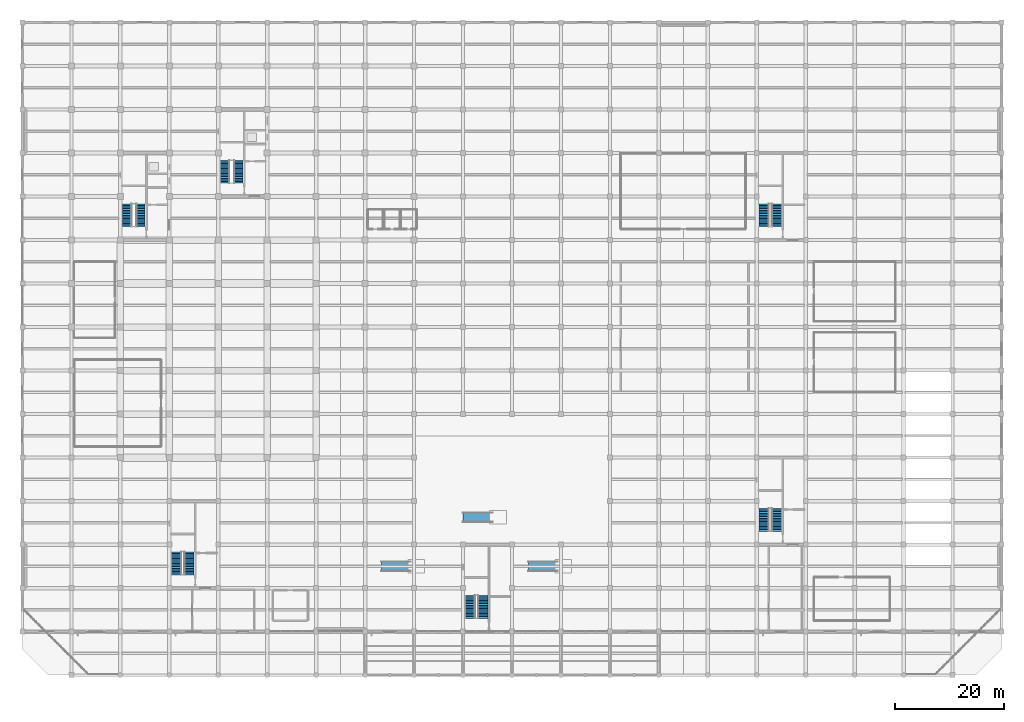
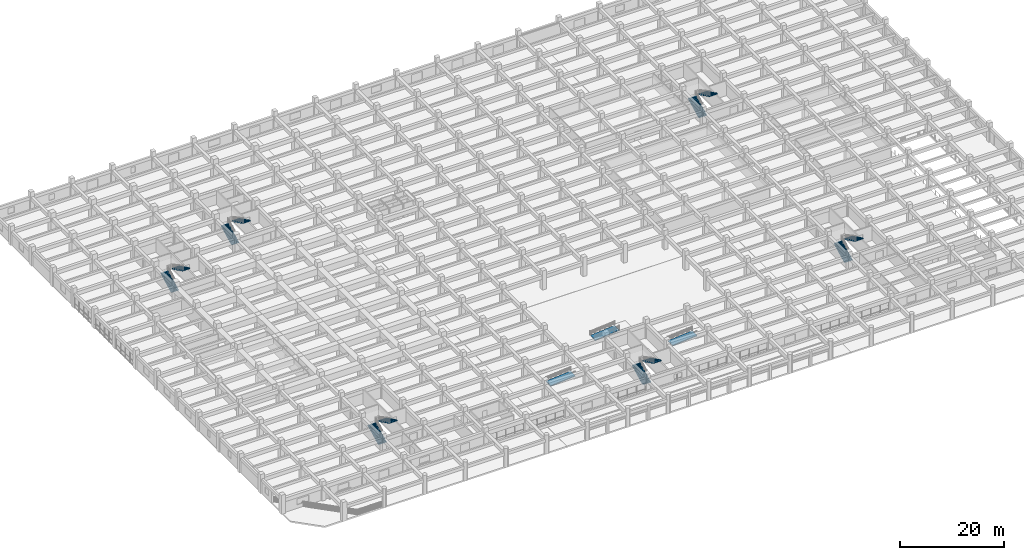
# One storey, part 31 of 40: 12 stair flights, 3 ramp flights, 9 elements without a shape of their own.
"""IFC4 building model written with IfcOpenShell, lengths in metres."""

from ifc_helpers import new_model, si_unit, direction, frame, origin, place, context, subcontext, project, spatial, polyline, outline, extrude, material, layer, layer_set, type_object, element, aggregate, save


model = new_model("IFC4")

# Units and contexts
model_context = context("Model", 3, precision=1e-05, world=origin(), true_north=direction((0.0, 1.0)))
body_context = subcontext(model_context, "Body", "Model", "MODEL_VIEW")
ifc_project = project(units=[si_unit("LENGTHUNIT", "METRE"), si_unit("AREAUNIT", "SQUARE_METRE"), si_unit("VOLUMEUNIT", "CUBIC_METRE"), si_unit("PLANEANGLEUNIT", "RADIAN"), si_unit("MASSUNIT", "GRAM", prefix="KILO")], contexts=[model_context])

# Site, building, storey
site_placement = place(None, origin())
site = spatial("IfcSite", under=ifc_project, at=site_placement, CompositionType="ELEMENT")
building_placement = place(site_placement, origin())
building = spatial("IfcBuilding", under=site, at=building_placement, Name="Zaverband Oceanarium and Marine Research Institute", CompositionType="ELEMENT")
storey_placement = place(building_placement, origin())
storey = spatial("IfcBuildingStorey", under=building, at=storey_placement, Name="L00", CompositionType="ELEMENT", Elevation=0.0)

# Stair, stair flights
ifc_material = material(Name="Concrete C40/50", Category="concrete")
stair_type_1 = type_object("IfcStairType", Name="STR-POD-1800-4500", PredefinedType="HALF_TURN_STAIR", material=ifc_material)
stair_1_placement = place(storey_placement, origin())
stair_1 = element("IfcStair", 1, at=stair_1_placement, inside=storey, type_object=stair_type_1, Name="Exit Stair ST-03 (L00)", PredefinedType="HALF_TURN_STAIR")
stair_flight_type_1 = type_object("IfcStairFlightType", Name="STR-POD-1800-4500-FL", PredefinedType="STRAIGHT", material=ifc_material)
stair_flight_1_placement = place(storey_placement, frame((28.330078125, 18.449951171875, 0.0), z_axis=(0.0, 0.0, 1.0), x_axis=(0.0, 1.0, 0.0)))
stair_flight_1 = element("IfcStairFlight", 2, at=stair_flight_1_placement, type_object=stair_flight_type_1, Name="Reinforced concrete stair flight ST-03-F1", NumberOfRisers=15, NumberOfTreads=14, PredefinedType="STRAIGHT", RiserHeight=0.15, TreadLength=0.3, context=body_context, shape_type="SweptSolid", body=[
    extrude(outline(polyline([(0.0, 0.0), (0.0, 0.14990234375), (0.300048828125, 0.14990234375), (0.300048828125, 0.300048828125), (0.60009765625, 0.300048828125), (0.60009765625, 0.449951171875), (0.89990234375, 0.449951171875), (0.89990234375, 0.60009765625), (1.199951171875, 0.60009765625), (1.199951171875, 0.75), (1.5, 0.75), (1.5, 0.89990234375), (1.800048828125, 0.89990234375), (1.800048828125, 1.050048828125), (2.10009765625, 1.050048828125), (2.10009765625, 1.199951171875), (2.39990234375, 1.199951171875), (2.39990234375, 1.35009765625), (2.699951171875, 1.35009765625), (2.699951171875, 1.5), (3.0, 1.5), (3.0, 1.64990234375), (3.300048828125, 1.64990234375), (3.300048828125, 1.800048828125), (3.60009765625, 1.800048828125), (3.60009765625, 1.949951171875), (3.89990234375, 1.949951171875), (3.89990234375, 2.10009765625), (4.199951171875, 2.10009765625), (4.199951171875, 2.25), (4.199951171875, 1.89892578125), (0.40234375, 0.0), (0.0, 0.0)])), frame((0.0, 0.89990234375, 0.0), z_axis=(0.0, -1.0, 0.0), x_axis=(1.0, 0.0, 0.0)), (0.0, 0.0, 1.0), 1.800048828125),
])
stair_flight_2_placement = place(storey_placement, frame((30.669921875, 22.64990234375, 2.25), z_axis=(0.0, 0.0, 1.0), x_axis=(0.0, -1.0, 0.0)))
stair_flight_2 = element("IfcStairFlight", 3, at=stair_flight_2_placement, type_object=stair_flight_type_1, Name="Reinforced concrete stair flight ST-03-F2", NumberOfRisers=15, NumberOfTreads=14, PredefinedType="STRAIGHT", RiserHeight=0.15, TreadLength=0.3, context=body_context, shape_type="SweptSolid", body=[
    extrude(outline(polyline([(0.0, 0.0), (0.0, 0.14990234375), (0.300048828125, 0.14990234375), (0.300048828125, 0.300048828125), (0.60009765625, 0.300048828125), (0.60009765625, 0.449951171875), (0.89990234375, 0.449951171875), (0.89990234375, 0.60009765625), (1.199951171875, 0.60009765625), (1.199951171875, 0.75), (1.5, 0.75), (1.5, 0.89990234375), (1.800048828125, 0.89990234375), (1.800048828125, 1.050048828125), (2.10009765625, 1.050048828125), (2.10009765625, 1.199951171875), (2.39990234375, 1.199951171875), (2.39990234375, 1.35009765625), (2.699951171875, 1.35009765625), (2.699951171875, 1.5), (3.0, 1.5), (3.0, 1.64990234375), (3.300048828125, 1.64990234375), (3.300048828125, 1.800048828125), (3.60009765625, 1.800048828125), (3.60009765625, 1.949951171875), (3.89990234375, 1.949951171875), (3.89990234375, 2.10009765625), (4.199951171875, 2.10009765625), (4.199951171875, 2.25), (4.199951171875, 1.89892578125), (0.40234375, 0.0), (0.0, 0.0)])), frame((0.0, 0.89990234375, 0.0), z_axis=(0.0, -1.0, 0.0), x_axis=(1.0, 0.0, 0.0)), (0.0, 0.0, 1.0), 1.800048828125),
])
aggregate(stair_1, [stair_flight_1, stair_flight_2])

stair_2_placement = place(storey_placement, origin())
stair_2 = element("IfcStair", 4, at=stair_2_placement, inside=storey, type_object=stair_type_1, Name="Exit Stair ST-04 (L00)", PredefinedType="HALF_TURN_STAIR")
stair_flight_3_placement = place(storey_placement, frame((136.330078125, 26.449951171875, 0.0), z_axis=(0.0, 0.0, 1.0), x_axis=(0.0, 1.0, 0.0)))
stair_flight_3 = element("IfcStairFlight", 5, at=stair_flight_3_placement, type_object=stair_flight_type_1, Name="Reinforced concrete stair flight ST-04-F1", NumberOfRisers=15, NumberOfTreads=14, PredefinedType="STRAIGHT", RiserHeight=0.15, TreadLength=0.3, context=body_context, shape_type="SweptSolid", body=[
    extrude(outline(polyline([(0.0, 0.0), (0.0, 0.14990234375), (0.300048828125, 0.14990234375), (0.300048828125, 0.300048828125), (0.60009765625, 0.300048828125), (0.60009765625, 0.449951171875), (0.89990234375, 0.449951171875), (0.89990234375, 0.60009765625), (1.199951171875, 0.60009765625), (1.199951171875, 0.75), (1.5, 0.75), (1.5, 0.89990234375), (1.800048828125, 0.89990234375), (1.800048828125, 1.050048828125), (2.10009765625, 1.050048828125), (2.10009765625, 1.199951171875), (2.39990234375, 1.199951171875), (2.39990234375, 1.35009765625), (2.699951171875, 1.35009765625), (2.699951171875, 1.5), (3.0, 1.5), (3.0, 1.64990234375), (3.300048828125, 1.64990234375), (3.300048828125, 1.800048828125), (3.60009765625, 1.800048828125), (3.60009765625, 1.949951171875), (3.89990234375, 1.949951171875), (3.89990234375, 2.10009765625), (4.199951171875, 2.10009765625), (4.199951171875, 2.25), (4.199951171875, 1.89892578125), (0.40234375, 0.0), (0.0, 0.0)])), frame((0.0, 0.89990234375, 0.0), z_axis=(0.0, -1.0, 0.0), x_axis=(1.0, 0.0, 0.0)), (0.0, 0.0, 1.0), 1.800048828125),
])
stair_flight_4_placement = place(storey_placement, frame((138.669921875, 30.64990234375, 2.25), z_axis=(0.0, 0.0, 1.0), x_axis=(0.0, -1.0, 0.0)))
stair_flight_4 = element("IfcStairFlight", 6, at=stair_flight_4_placement, type_object=stair_flight_type_1, Name="Reinforced concrete stair flight ST-04-F2", NumberOfRisers=15, NumberOfTreads=14, PredefinedType="STRAIGHT", RiserHeight=0.15, TreadLength=0.3, context=body_context, shape_type="SweptSolid", body=[
    extrude(outline(polyline([(0.0, 0.0), (0.0, 0.14990234375), (0.300048828125, 0.14990234375), (0.300048828125, 0.300048828125), (0.60009765625, 0.300048828125), (0.60009765625, 0.449951171875), (0.89990234375, 0.449951171875), (0.89990234375, 0.60009765625), (1.199951171875, 0.60009765625), (1.199951171875, 0.75), (1.5, 0.75), (1.5, 0.89990234375), (1.800048828125, 0.89990234375), (1.800048828125, 1.050048828125), (2.10009765625, 1.050048828125), (2.10009765625, 1.199951171875), (2.39990234375, 1.199951171875), (2.39990234375, 1.35009765625), (2.699951171875, 1.35009765625), (2.699951171875, 1.5), (3.0, 1.5), (3.0, 1.64990234375), (3.300048828125, 1.64990234375), (3.300048828125, 1.800048828125), (3.60009765625, 1.800048828125), (3.60009765625, 1.949951171875), (3.89990234375, 1.949951171875), (3.89990234375, 2.10009765625), (4.199951171875, 2.10009765625), (4.199951171875, 2.25), (4.199951171875, 1.89892578125), (0.40234375, 0.0), (0.0, 0.0)])), frame((0.0, 0.89990234375, 0.0), z_axis=(0.0, -1.0, 0.0), x_axis=(1.0, 0.0, 0.0)), (0.0, 0.0, 1.0), 1.800048828125),
])
aggregate(stair_2, [stair_flight_3, stair_flight_4])

stair_3_placement = place(storey_placement, origin())
stair_3 = element("IfcStair", 7, at=stair_3_placement, inside=storey, type_object=stair_type_1, Name="Exit Stair ST-05 (L00)", PredefinedType="HALF_TURN_STAIR")
stair_flight_5_placement = place(storey_placement, frame((136.330078125, 82.449951171875, 0.0), z_axis=(0.0, 0.0, 1.0), x_axis=(0.0, 1.0, 0.0)))
stair_flight_5 = element("IfcStairFlight", 8, at=stair_flight_5_placement, type_object=stair_flight_type_1, Name="Reinforced concrete stair flight ST-05-F1", NumberOfRisers=15, NumberOfTreads=14, PredefinedType="STRAIGHT", RiserHeight=0.15, TreadLength=0.3, context=body_context, shape_type="SweptSolid", body=[
    extrude(outline(polyline([(0.0, 0.0), (0.0, 0.14990234375), (0.300048828125, 0.14990234375), (0.300048828125, 0.300048828125), (0.60009765625, 0.300048828125), (0.60009765625, 0.449951171875), (0.89990234375, 0.449951171875), (0.89990234375, 0.60009765625), (1.199951171875, 0.60009765625), (1.199951171875, 0.75), (1.5, 0.75), (1.5, 0.89990234375), (1.800048828125, 0.89990234375), (1.800048828125, 1.050048828125), (2.10009765625, 1.050048828125), (2.10009765625, 1.199951171875), (2.39990234375, 1.199951171875), (2.39990234375, 1.35009765625), (2.699951171875, 1.35009765625), (2.699951171875, 1.5), (3.0, 1.5), (3.0, 1.64990234375), (3.300048828125, 1.64990234375), (3.300048828125, 1.800048828125), (3.60009765625, 1.800048828125), (3.60009765625, 1.949951171875), (3.89990234375, 1.949951171875), (3.89990234375, 2.10009765625), (4.199951171875, 2.10009765625), (4.199951171875, 2.25), (4.199951171875, 1.89892578125), (0.40234375, 0.0), (0.0, 0.0)])), frame((0.0, 0.89990234375, 0.0), z_axis=(0.0, -1.0, 0.0), x_axis=(1.0, 0.0, 0.0)), (0.0, 0.0, 1.0), 1.800048828125),
])
stair_flight_6_placement = place(storey_placement, frame((138.669921875, 86.64990234375, 2.25), z_axis=(0.0, 0.0, 1.0), x_axis=(0.0, -1.0, 0.0)))
stair_flight_6 = element("IfcStairFlight", 9, at=stair_flight_6_placement, type_object=stair_flight_type_1, Name="Reinforced concrete stair flight ST-05-F2", NumberOfRisers=15, NumberOfTreads=14, PredefinedType="STRAIGHT", RiserHeight=0.15, TreadLength=0.3, context=body_context, shape_type="SweptSolid", body=[
    extrude(outline(polyline([(0.0, 0.0), (0.0, 0.14990234375), (0.300048828125, 0.14990234375), (0.300048828125, 0.300048828125), (0.60009765625, 0.300048828125), (0.60009765625, 0.449951171875), (0.89990234375, 0.449951171875), (0.89990234375, 0.60009765625), (1.199951171875, 0.60009765625), (1.199951171875, 0.75), (1.5, 0.75), (1.5, 0.89990234375), (1.800048828125, 0.89990234375), (1.800048828125, 1.050048828125), (2.10009765625, 1.050048828125), (2.10009765625, 1.199951171875), (2.39990234375, 1.199951171875), (2.39990234375, 1.35009765625), (2.699951171875, 1.35009765625), (2.699951171875, 1.5), (3.0, 1.5), (3.0, 1.64990234375), (3.300048828125, 1.64990234375), (3.300048828125, 1.800048828125), (3.60009765625, 1.800048828125), (3.60009765625, 1.949951171875), (3.89990234375, 1.949951171875), (3.89990234375, 2.10009765625), (4.199951171875, 2.10009765625), (4.199951171875, 2.25), (4.199951171875, 1.89892578125), (0.40234375, 0.0), (0.0, 0.0)])), frame((0.0, 0.89990234375, 0.0), z_axis=(0.0, -1.0, 0.0), x_axis=(1.0, 0.0, 0.0)), (0.0, 0.0, 1.0), 1.800048828125),
])
aggregate(stair_3, [stair_flight_5, stair_flight_6])

stair_4_placement = place(storey_placement, origin())
stair_4 = element("IfcStair", 10, at=stair_4_placement, inside=storey, type_object=stair_type_1, Name="Exit Stair ST-06 (L00)", PredefinedType="HALF_TURN_STAIR")
stair_flight_7_placement = place(storey_placement, frame((82.330078125, 10.449951171875, 0.0), z_axis=(0.0, 0.0, 1.0), x_axis=(0.0, 1.0, 0.0)))
stair_flight_7 = element("IfcStairFlight", 11, at=stair_flight_7_placement, type_object=stair_flight_type_1, Name="Reinforced concrete stair flight ST-06-F1", NumberOfRisers=15, NumberOfTreads=14, PredefinedType="STRAIGHT", RiserHeight=0.15, TreadLength=0.3, context=body_context, shape_type="SweptSolid", body=[
    extrude(outline(polyline([(0.0, 0.0), (0.0, 0.14990234375), (0.300048828125, 0.14990234375), (0.300048828125, 0.300048828125), (0.60009765625, 0.300048828125), (0.60009765625, 0.449951171875), (0.89990234375, 0.449951171875), (0.89990234375, 0.60009765625), (1.199951171875, 0.60009765625), (1.199951171875, 0.75), (1.5, 0.75), (1.5, 0.89990234375), (1.800048828125, 0.89990234375), (1.800048828125, 1.050048828125), (2.10009765625, 1.050048828125), (2.10009765625, 1.199951171875), (2.39990234375, 1.199951171875), (2.39990234375, 1.35009765625), (2.699951171875, 1.35009765625), (2.699951171875, 1.5), (3.0, 1.5), (3.0, 1.64990234375), (3.300048828125, 1.64990234375), (3.300048828125, 1.800048828125), (3.60009765625, 1.800048828125), (3.60009765625, 1.949951171875), (3.89990234375, 1.949951171875), (3.89990234375, 2.10009765625), (4.199951171875, 2.10009765625), (4.199951171875, 2.25), (4.199951171875, 1.89892578125), (0.40234375, 0.0), (0.0, 0.0)])), frame((0.0, 0.89990234375, 0.0), z_axis=(0.0, -1.0, 0.0), x_axis=(1.0, 0.0, 0.0)), (0.0, 0.0, 1.0), 1.800048828125),
])
stair_flight_8_placement = place(storey_placement, frame((84.669921875, 14.64990234375, 2.25), z_axis=(0.0, 0.0, 1.0), x_axis=(0.0, -1.0, 0.0)))
stair_flight_8 = element("IfcStairFlight", 12, at=stair_flight_8_placement, type_object=stair_flight_type_1, Name="Reinforced concrete stair flight ST-06-F2", NumberOfRisers=15, NumberOfTreads=14, PredefinedType="STRAIGHT", RiserHeight=0.15, TreadLength=0.3, context=body_context, shape_type="SweptSolid", body=[
    extrude(outline(polyline([(0.0, 0.0), (0.0, 0.14990234375), (0.300048828125, 0.14990234375), (0.300048828125, 0.300048828125), (0.60009765625, 0.300048828125), (0.60009765625, 0.449951171875), (0.89990234375, 0.449951171875), (0.89990234375, 0.60009765625), (1.199951171875, 0.60009765625), (1.199951171875, 0.75), (1.5, 0.75), (1.5, 0.89990234375), (1.800048828125, 0.89990234375), (1.800048828125, 1.050048828125), (2.10009765625, 1.050048828125), (2.10009765625, 1.199951171875), (2.39990234375, 1.199951171875), (2.39990234375, 1.35009765625), (2.699951171875, 1.35009765625), (2.699951171875, 1.5), (3.0, 1.5), (3.0, 1.64990234375), (3.300048828125, 1.64990234375), (3.300048828125, 1.800048828125), (3.60009765625, 1.800048828125), (3.60009765625, 1.949951171875), (3.89990234375, 1.949951171875), (3.89990234375, 2.10009765625), (4.199951171875, 2.10009765625), (4.199951171875, 2.25), (4.199951171875, 1.89892578125), (0.40234375, 0.0), (0.0, 0.0)])), frame((0.0, 0.89990234375, 0.0), z_axis=(0.0, -1.0, 0.0), x_axis=(1.0, 0.0, 0.0)), (0.0, 0.0, 1.0), 1.800048828125),
])
aggregate(stair_4, [stair_flight_7, stair_flight_8])

stair_type_2 = type_object("IfcStairType", Name="STR-TWR-1650-4500", PredefinedType="HALF_TURN_STAIR", material=ifc_material)
stair_5_placement = place(storey_placement, origin())
stair_5 = element("IfcStair", 13, at=stair_5_placement, inside=storey, type_object=stair_type_2, Name="Exit Stair ST-01 (L00)", PredefinedType="HALF_TURN_STAIR")
stair_flight_type_2 = type_object("IfcStairFlightType", Name="STR-TWR-1650-4500-FL", PredefinedType="STRAIGHT", material=ifc_material)
stair_flight_9_placement = place(storey_placement, frame((19.2548828125, 82.449951171875, 0.0), z_axis=(0.0, 0.0, 1.0), x_axis=(0.0, 1.0, 0.0)))
stair_flight_9 = element("IfcStairFlight", 14, at=stair_flight_9_placement, type_object=stair_flight_type_2, Name="Reinforced concrete stair flight ST-01-F1", NumberOfRisers=15, NumberOfTreads=14, PredefinedType="STRAIGHT", RiserHeight=0.15, TreadLength=0.3, context=body_context, shape_type="SweptSolid", body=[
    extrude(outline(polyline([(0.0, 0.0), (0.0, 0.14990234375), (0.300048828125, 0.14990234375), (0.300048828125, 0.300048828125), (0.60009765625, 0.300048828125), (0.60009765625, 0.449951171875), (0.89990234375, 0.449951171875), (0.89990234375, 0.60009765625), (1.199951171875, 0.60009765625), (1.199951171875, 0.75), (1.5, 0.75), (1.5, 0.89990234375), (1.800048828125, 0.89990234375), (1.800048828125, 1.050048828125), (2.10009765625, 1.050048828125), (2.10009765625, 1.199951171875), (2.39990234375, 1.199951171875), (2.39990234375, 1.35009765625), (2.699951171875, 1.35009765625), (2.699951171875, 1.5), (3.0, 1.5), (3.0, 1.64990234375), (3.300048828125, 1.64990234375), (3.300048828125, 1.800048828125), (3.60009765625, 1.800048828125), (3.60009765625, 1.949951171875), (3.89990234375, 1.949951171875), (3.89990234375, 2.10009765625), (4.199951171875, 2.10009765625), (4.199951171875, 2.25), (4.199951171875, 1.89892578125), (0.40234375, 0.0), (0.0, 0.0)])), frame((0.0, 0.824951171875, 0.0), z_axis=(0.0, -1.0, 0.0), x_axis=(1.0, 0.0, 0.0)), (0.0, 0.0, 1.0), 1.64990234375),
])
stair_flight_10_placement = place(storey_placement, frame((21.7451171875, 86.64990234375, 2.25), z_axis=(0.0, 0.0, 1.0), x_axis=(0.0, -1.0, 0.0)))
stair_flight_10 = element("IfcStairFlight", 15, at=stair_flight_10_placement, type_object=stair_flight_type_2, Name="Reinforced concrete stair flight ST-01-F2", NumberOfRisers=15, NumberOfTreads=14, PredefinedType="STRAIGHT", RiserHeight=0.15, TreadLength=0.3, context=body_context, shape_type="SweptSolid", body=[
    extrude(outline(polyline([(0.0, 0.0), (0.0, 0.14990234375), (0.300048828125, 0.14990234375), (0.300048828125, 0.300048828125), (0.60009765625, 0.300048828125), (0.60009765625, 0.449951171875), (0.89990234375, 0.449951171875), (0.89990234375, 0.60009765625), (1.199951171875, 0.60009765625), (1.199951171875, 0.75), (1.5, 0.75), (1.5, 0.89990234375), (1.800048828125, 0.89990234375), (1.800048828125, 1.050048828125), (2.10009765625, 1.050048828125), (2.10009765625, 1.199951171875), (2.39990234375, 1.199951171875), (2.39990234375, 1.35009765625), (2.699951171875, 1.35009765625), (2.699951171875, 1.5), (3.0, 1.5), (3.0, 1.64990234375), (3.300048828125, 1.64990234375), (3.300048828125, 1.800048828125), (3.60009765625, 1.800048828125), (3.60009765625, 1.949951171875), (3.89990234375, 1.949951171875), (3.89990234375, 2.10009765625), (4.199951171875, 2.10009765625), (4.199951171875, 2.25), (4.199951171875, 1.89892578125), (0.40234375, 0.0), (0.0, 0.0)])), frame((0.0, 0.824951171875, 0.0), z_axis=(0.0, -1.0, 0.0), x_axis=(1.0, 0.0, 0.0)), (0.0, 0.0, 1.0), 1.64990234375),
])
aggregate(stair_5, [stair_flight_9, stair_flight_10])

stair_6_placement = place(storey_placement, origin())
stair_6 = element("IfcStair", 16, at=stair_6_placement, inside=storey, type_object=stair_type_2, Name="Exit Stair ST-02 (L00)", PredefinedType="HALF_TURN_STAIR")
stair_flight_11_placement = place(storey_placement, frame((37.2548828125, 90.449951171875, 0.0), z_axis=(0.0, 0.0, 1.0), x_axis=(0.0, 1.0, 0.0)))
stair_flight_11 = element("IfcStairFlight", 17, at=stair_flight_11_placement, type_object=stair_flight_type_2, Name="Reinforced concrete stair flight ST-02-F1", NumberOfRisers=15, NumberOfTreads=14, PredefinedType="STRAIGHT", RiserHeight=0.15, TreadLength=0.3, context=body_context, shape_type="SweptSolid", body=[
    extrude(outline(polyline([(0.0, 0.0), (0.0, 0.14990234375), (0.300048828125, 0.14990234375), (0.300048828125, 0.300048828125), (0.60009765625, 0.300048828125), (0.60009765625, 0.449951171875), (0.89990234375, 0.449951171875), (0.89990234375, 0.60009765625), (1.199951171875, 0.60009765625), (1.199951171875, 0.75), (1.5, 0.75), (1.5, 0.89990234375), (1.800048828125, 0.89990234375), (1.800048828125, 1.050048828125), (2.10009765625, 1.050048828125), (2.10009765625, 1.199951171875), (2.39990234375, 1.199951171875), (2.39990234375, 1.35009765625), (2.699951171875, 1.35009765625), (2.699951171875, 1.5), (3.0, 1.5), (3.0, 1.64990234375), (3.300048828125, 1.64990234375), (3.300048828125, 1.800048828125), (3.60009765625, 1.800048828125), (3.60009765625, 1.949951171875), (3.89990234375, 1.949951171875), (3.89990234375, 2.10009765625), (4.199951171875, 2.10009765625), (4.199951171875, 2.25), (4.199951171875, 1.89892578125), (0.40234375, 0.0), (0.0, 0.0)])), frame((0.0, 0.824951171875, 0.0), z_axis=(0.0, -1.0, 0.0), x_axis=(1.0, 0.0, 0.0)), (0.0, 0.0, 1.0), 1.64990234375),
])
stair_flight_12_placement = place(storey_placement, frame((39.7451171875, 94.64990234375, 2.25), z_axis=(0.0, 0.0, 1.0), x_axis=(0.0, -1.0, 0.0)))
stair_flight_12 = element("IfcStairFlight", 18, at=stair_flight_12_placement, type_object=stair_flight_type_2, Name="Reinforced concrete stair flight ST-02-F2", NumberOfRisers=15, NumberOfTreads=14, PredefinedType="STRAIGHT", RiserHeight=0.15, TreadLength=0.3, context=body_context, shape_type="SweptSolid", body=[
    extrude(outline(polyline([(0.0, 0.0), (0.0, 0.14990234375), (0.300048828125, 0.14990234375), (0.300048828125, 0.300048828125), (0.60009765625, 0.300048828125), (0.60009765625, 0.449951171875), (0.89990234375, 0.449951171875), (0.89990234375, 0.60009765625), (1.199951171875, 0.60009765625), (1.199951171875, 0.75), (1.5, 0.75), (1.5, 0.89990234375), (1.800048828125, 0.89990234375), (1.800048828125, 1.050048828125), (2.10009765625, 1.050048828125), (2.10009765625, 1.199951171875), (2.39990234375, 1.199951171875), (2.39990234375, 1.35009765625), (2.699951171875, 1.35009765625), (2.699951171875, 1.5), (3.0, 1.5), (3.0, 1.64990234375), (3.300048828125, 1.64990234375), (3.300048828125, 1.800048828125), (3.60009765625, 1.800048828125), (3.60009765625, 1.949951171875), (3.89990234375, 1.949951171875), (3.89990234375, 2.10009765625), (4.199951171875, 2.10009765625), (4.199951171875, 2.25), (4.199951171875, 1.89892578125), (0.40234375, 0.0), (0.0, 0.0)])), frame((0.0, 0.824951171875, 0.0), z_axis=(0.0, -1.0, 0.0), x_axis=(1.0, 0.0, 0.0)), (0.0, 0.0, 1.0), 1.64990234375),
])
aggregate(stair_6, [stair_flight_11, stair_flight_12])

# Ramp, ramp flight
ifc_layer_1 = layer(ifc_material, 0.219970703125, Name="Concrete C40/50")
ifc_layer_set_1 = layer_set([ifc_layer_1], Name="Concrete C40/50")
ramp_type = type_object("IfcRampType", Name="RMP-PED-1800", PredefinedType="STRAIGHT_RUN_RAMP", material=ifc_layer_set_1)
ramp_1_placement = place(storey_placement, origin())
ramp_1 = element("IfcRamp", 19, at=ramp_1_placement, inside=storey, type_object=ramp_type, Name="Accessible Viewing Gallery Ramp PR-03", PredefinedType="STRAIGHT_RUN_RAMP")
ifc_layer_2 = layer(ifc_material, 0.219970703125, Name="Concrete C40/50")
ifc_layer_set_2 = layer_set([ifc_layer_2], Name="Concrete C40/50")
ramp_flight_type = type_object("IfcRampFlightType", Name="RMP-PED-1800-FL", PredefinedType="STRAIGHT", material=ifc_layer_set_2)
ramp_flight_1_placement = place(storey_placement, frame((66.0, 19.10009765625, 0.0), z_axis=(-0.083038022323, 0.0, 0.996546379678), x_axis=(0.0, 1.0, 0.0)))
ramp_flight_1 = element("IfcRampFlight", 20, at=ramp_flight_1_placement, type_object=ramp_flight_type, Name="Step-free accessible pedestrian ramp flight PR-03-F1", PredefinedType="STRAIGHT", context=body_context, shape_type="SweptSolid", body=[
    extrude(outline(polyline([(0.0, 0.0), (1.7998046875, 0.0), (1.7998046875, -5.418616186731482), (0.0, -5.418616186731482), (0.0, 0.0)])), origin(), (0.0, 0.0, -1.0), 0.219970703125),
])
aggregate(ramp_1, [ramp_flight_1])

ramp_2_placement = place(storey_placement, origin())
ramp_2 = element("IfcRamp", 21, at=ramp_2_placement, inside=storey, type_object=ramp_type, Name="Accessible Viewing Gallery Ramp PR-04", PredefinedType="STRAIGHT_RUN_RAMP")
ramp_flight_2_placement = place(storey_placement, frame((81.0, 28.10009765625, 0.0), z_axis=(-0.083038022323, 0.0, 0.996546379678), x_axis=(0.0, 1.0, 0.0)))
ramp_flight_2 = element("IfcRampFlight", 22, at=ramp_flight_2_placement, type_object=ramp_flight_type, Name="Step-free accessible pedestrian ramp flight PR-04-F1", PredefinedType="STRAIGHT", context=body_context, shape_type="SweptSolid", body=[
    extrude(outline(polyline([(0.0, 0.0), (1.7998046875, 0.0), (1.7998046875, -5.418616186731482), (0.0, -5.418616186731482), (0.0, 0.0)])), origin(), (0.0, 0.0, -1.0), 0.219970703125),
])
aggregate(ramp_2, [ramp_flight_2])

ramp_3_placement = place(storey_placement, origin())
ramp_3 = element("IfcRamp", 23, at=ramp_3_placement, inside=storey, type_object=ramp_type, Name="Accessible Viewing Gallery Ramp PR-05", PredefinedType="STRAIGHT_RUN_RAMP")
ramp_flight_3_placement = place(storey_placement, frame((93.0, 19.10009765625, 0.0), z_axis=(-0.083038022323, 0.0, 0.996546379678), x_axis=(0.0, 1.0, 0.0)))
ramp_flight_3 = element("IfcRampFlight", 24, at=ramp_flight_3_placement, type_object=ramp_flight_type, Name="Step-free accessible pedestrian ramp flight PR-05-F1", PredefinedType="STRAIGHT", context=body_context, shape_type="SweptSolid", body=[
    extrude(outline(polyline([(0.0, 0.0), (1.7998046875, 0.0), (1.7998046875, -5.418616186731482), (0.0, -5.418616186731482), (0.0, 0.0)])), origin(), (0.0, 0.0, -1.0), 0.219970703125),
])
aggregate(ramp_3, [ramp_flight_3])

save(model, "model.ifc")
